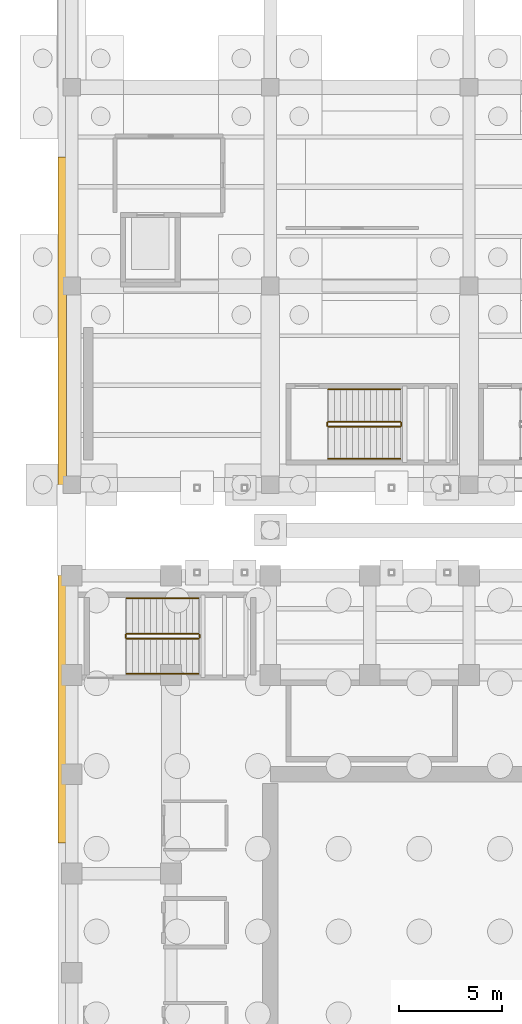
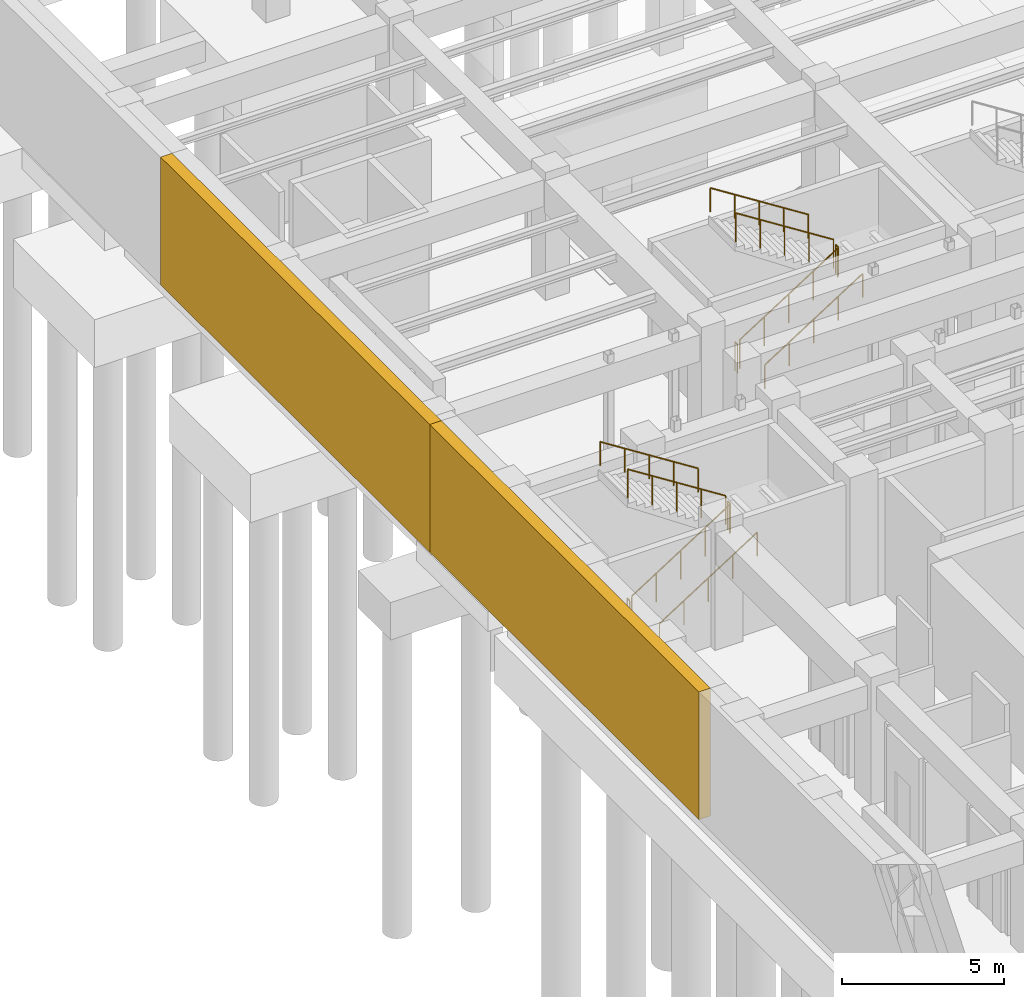
# One storey, part 51 of 56: 12 railings, 2 coverings.
"""IFC4 building model written with IfcOpenShell, lengths in metres."""

from ifc_helpers import new_model, si_unit, direction, frame, origin, origin_2d, place, context, subcontext, project, spatial, polyline, circle, outline, extrude, material, layer, layer_set, type_object, element, save


model = new_model("IFC4")

# Units and contexts
model_context = context("Model", 3, precision=1e-05, world=origin(), true_north=direction((0.0, 1.0)))
body_context = subcontext(model_context, "Body", "Model", "MODEL_VIEW")
ifc_project = project(units=[si_unit("LENGTHUNIT", "METRE"), si_unit("AREAUNIT", "SQUARE_METRE"), si_unit("VOLUMEUNIT", "CUBIC_METRE"), si_unit("PLANEANGLEUNIT", "RADIAN"), si_unit("MASSUNIT", "GRAM", prefix="KILO")], contexts=[model_context])

# Site, building, storey
site_placement = place(None, origin())
site = spatial("IfcSite", under=ifc_project, at=site_placement, CompositionType="ELEMENT")
building_placement = place(site_placement, origin())
building = spatial("IfcBuilding", under=site, at=building_placement, Name="Mavantir Sound Aquarium", CompositionType="ELEMENT")
storey_placement = place(building_placement, frame((0.0, 0.0, -9.60009765625)))
storey = spatial("IfcBuildingStorey", under=building, at=storey_placement, Name="B2", CompositionType="ELEMENT", Elevation=-9.60009765625)

# Coverings
ifc_material_1 = material(Name="Honed Coral-Limestone & Glazed Terracotta Rainscreen Cladding", Category="masonry")
ifc_layer = layer(ifc_material_1, 0.06005859375, Name="Honed Coral-Limestone & Glazed Terracotta Rainscreen Cladding")
ifc_layer_set = layer_set([ifc_layer], Name="Honed Coral-Limestone & Glazed Terracotta Rainscreen Cladding")
covering_type = type_object("IfcCoveringType", Name="COV-CLAD-TC", PredefinedType="CLADDING", material=ifc_layer_set)
covering_1_placement = place(storey_placement, origin())
element("IfcCovering", 1, at=covering_1_placement, inside=storey, type_object=covering_type, Name="B2 rusticated coral-stone plinth cladding 37", PredefinedType="CLADDING", context=body_context, shape_type="SweptSolid", body=[
    extrude(outline(polyline([(-0.25, 99.4287109375), (-0.25, 82.857177734375), (-0.659912109375, 82.857177734375), (-0.659912109375, 99.4287109375), (-0.25, 99.4287109375)])), origin(), (0.0, 0.0, 1.0), 4.800048828125),
])
covering_2_placement = place(storey_placement, origin())
element("IfcCovering", 2, at=covering_2_placement, inside=storey, type_object=covering_type, Name="B2 rusticated coral-stone plinth cladding 38", PredefinedType="CLADDING", context=body_context, shape_type="SweptSolid", body=[
    extrude(outline(polyline([(-0.25, 82.857177734375), (-0.25, 66.28564453125), (-0.659912109375, 66.28564453125), (-0.659912109375, 82.857177734375), (-0.25, 82.857177734375)])), origin(), (0.0, 0.0, 1.0), 4.800048828125),
])

# Railings
ifc_material_2 = material(Name="Stainless Steel 316 and Laminated Glass Guardrail", Category="steel")
railing_type_1 = type_object("IfcRailingType", Name="RL-GUARD-110", PredefinedType="GUARDRAIL", material=ifc_material_2)
railing_1_placement = place(storey_placement, frame((2.64990234375, 76.14990234375, 0.184814453125)))
element("IfcRailing", 3, at=railing_1_placement, inside=storey, type_object=railing_type_1, Name="B2 ST2 stair guard 1", PredefinedType="GUARDRAIL", context=body_context, shape_type="SweptSolid", body=[
    extrude(circle(Radius=0.02392578125, at=origin_2d()), frame((0.0, 0.0, 1.076171875), z_axis=(0.843573748531, 0.0, 0.537013343214), x_axis=(0.0, 1.0, 0.0)), (0.0, 0.0, 1.0), 4.125244140625),
    extrude(circle(Radius=0.02099609375, at=origin_2d()), origin(), (0.0, 0.0, 1.0), 1.052001953125),
    extrude(circle(Radius=0.02099609375, at=origin_2d()), frame((0.8701171875, 0.0, 0.5537109375)), (0.0, 0.0, 1.0), 1.052001953125),
    extrude(circle(Radius=0.02099609375, at=origin_2d()), frame((1.739990234375, 0.0, 1.107666015625)), (0.0, 0.0, 1.0), 1.052001953125),
    extrude(circle(Radius=0.02099609375, at=origin_2d()), frame((2.60986328125, 0.0, 1.66162109375)), (0.0, 0.0, 1.0), 1.052001953125),
    extrude(circle(Radius=0.02099609375, at=origin_2d()), frame((3.47998046875, 0.0, 2.21533203125)), (0.0, 0.0, 1.0), 1.052001953125),
])
railing_2_placement = place(storey_placement, frame((6.179931640625, 76.199951171875, 2.400146484375)))
element("IfcRailing", 4, at=railing_2_placement, inside=storey, type_object=railing_type_1, Name="B2 ST2 stair guard 2", PredefinedType="GUARDRAIL", context=body_context, shape_type="SweptSolid", body=[
    extrude(circle(Radius=0.02392578125, at=origin_2d()), frame((0.0, 0.0, 1.076171875), z_axis=(0.0, 1.0, 0.0), x_axis=(-1.0, 0.0, 0.0)), (0.0, 0.0, 1.0), 0.150146484375),
    extrude(circle(Radius=0.02099609375, at=origin_2d()), origin(), (0.0, 0.0, 1.0), 1.052001953125),
    extrude(circle(Radius=0.02099609375, at=origin_2d()), frame((0.0, 0.150146484375, 0.0)), (0.0, 0.0, 1.0), 1.052001953125),
])
railing_3_placement = place(storey_placement, frame((6.1298828125, 76.39990234375, 2.584716796875)))
element("IfcRailing", 5, at=railing_3_placement, inside=storey, type_object=railing_type_1, Name="B2 ST2 stair guard 3", PredefinedType="GUARDRAIL", context=body_context, shape_type="SweptSolid", body=[
    extrude(circle(Radius=0.02392578125, at=origin_2d()), frame((0.0, 0.0, 1.076171875), z_axis=(-0.843573748531, 0.0, 0.537013343214), x_axis=(0.0, -1.0, 0.0)), (0.0, 0.0, 1.0), 4.125244140625),
    extrude(circle(Radius=0.02099609375, at=origin_2d()), origin(), (0.0, 0.0, 1.0), 1.052001953125),
    extrude(circle(Radius=0.02099609375, at=origin_2d()), frame((-0.8701171875, 0.0, 0.5537109375)), (0.0, 0.0, 1.0), 1.052001953125),
    extrude(circle(Radius=0.02099609375, at=origin_2d()), frame((-1.739990234375, 0.0, 1.107666015625)), (0.0, 0.0, 1.0), 1.052001953125),
    extrude(circle(Radius=0.02099609375, at=origin_2d()), frame((-2.60986328125, 0.0, 1.66162109375)), (0.0, 0.0, 1.0), 1.052001953125),
    extrude(circle(Radius=0.02099609375, at=origin_2d()), frame((-3.47998046875, 0.0, 2.21533203125)), (0.0, 0.0, 1.0), 1.052001953125),
])
railing_4_placement = place(storey_placement, frame((2.60009765625, 76.199951171875, 0.0)))
element("IfcRailing", 6, at=railing_4_placement, inside=storey, type_object=railing_type_1, Name="B2 ST2 stair guard 4", PredefinedType="GUARDRAIL", context=body_context, shape_type="SweptSolid", body=[
    extrude(circle(Radius=0.02392578125, at=origin_2d()), frame((0.0, 0.0, 1.076171875), z_axis=(0.0, 1.0, 0.0), x_axis=(-1.0, 0.0, 0.0)), (0.0, 0.0, 1.0), 0.150146484375),
    extrude(circle(Radius=0.02099609375, at=origin_2d()), origin(), (0.0, 0.0, 1.0), 1.052001953125),
    extrude(circle(Radius=0.02099609375, at=origin_2d()), frame((0.0, 0.150146484375, 0.0)), (0.0, 0.0, 1.0), 1.052001953125),
])
railing_5_placement = place(storey_placement, frame((12.39990234375, 86.39990234375, 0.184814453125)))
element("IfcRailing", 7, at=railing_5_placement, inside=storey, type_object=railing_type_1, Name="B2 ST5 stair guard 1", PredefinedType="GUARDRAIL", context=body_context, shape_type="SweptSolid", body=[
    extrude(circle(Radius=0.02392578125, at=origin_2d()), frame((0.0, 0.0, 1.076171875), z_axis=(0.843573748531, 0.0, 0.537013343214), x_axis=(0.0, 1.0, 0.0)), (0.0, 0.0, 1.0), 4.125244140625),
    extrude(circle(Radius=0.02099609375, at=origin_2d()), origin(), (0.0, 0.0, 1.0), 1.052001953125),
    extrude(circle(Radius=0.02099609375, at=origin_2d()), frame((0.8701171875, 0.0, 0.5537109375)), (0.0, 0.0, 1.0), 1.052001953125),
    extrude(circle(Radius=0.02099609375, at=origin_2d()), frame((1.739990234375, 0.0, 1.107666015625)), (0.0, 0.0, 1.0), 1.052001953125),
    extrude(circle(Radius=0.02099609375, at=origin_2d()), frame((2.60986328125, 0.0, 1.66162109375)), (0.0, 0.0, 1.0), 1.052001953125),
    extrude(circle(Radius=0.02099609375, at=origin_2d()), frame((3.47998046875, 0.0, 2.21533203125)), (0.0, 0.0, 1.0), 1.052001953125),
])
railing_6_placement = place(storey_placement, frame((15.929931640625, 86.449951171875, 2.400146484375)))
element("IfcRailing", 8, at=railing_6_placement, inside=storey, type_object=railing_type_1, Name="B2 ST5 stair guard 2", PredefinedType="GUARDRAIL", context=body_context, shape_type="SweptSolid", body=[
    extrude(circle(Radius=0.02392578125, at=origin_2d()), frame((0.0, 0.0, 1.076171875), z_axis=(0.0, 1.0, 0.0), x_axis=(-1.0, 0.0, 0.0)), (0.0, 0.0, 1.0), 0.150146484375),
    extrude(circle(Radius=0.02099609375, at=origin_2d()), origin(), (0.0, 0.0, 1.0), 1.052001953125),
    extrude(circle(Radius=0.02099609375, at=origin_2d()), frame((0.0, 0.150146484375, 0.0)), (0.0, 0.0, 1.0), 1.052001953125),
])
railing_7_placement = place(storey_placement, frame((15.8798828125, 86.64990234375, 2.584716796875)))
element("IfcRailing", 9, at=railing_7_placement, inside=storey, type_object=railing_type_1, Name="B2 ST5 stair guard 3", PredefinedType="GUARDRAIL", context=body_context, shape_type="SweptSolid", body=[
    extrude(circle(Radius=0.02392578125, at=origin_2d()), frame((0.0, 0.0, 1.076171875), z_axis=(-0.843573748531, 0.0, 0.537013343214), x_axis=(0.0, -1.0, 0.0)), (0.0, 0.0, 1.0), 4.125244140625),
    extrude(circle(Radius=0.02099609375, at=origin_2d()), origin(), (0.0, 0.0, 1.0), 1.052001953125),
    extrude(circle(Radius=0.02099609375, at=origin_2d()), frame((-0.8701171875, 0.0, 0.5537109375)), (0.0, 0.0, 1.0), 1.052001953125),
    extrude(circle(Radius=0.02099609375, at=origin_2d()), frame((-1.739990234375, 0.0, 1.107666015625)), (0.0, 0.0, 1.0), 1.052001953125),
    extrude(circle(Radius=0.02099609375, at=origin_2d()), frame((-2.60986328125, 0.0, 1.66162109375)), (0.0, 0.0, 1.0), 1.052001953125),
    extrude(circle(Radius=0.02099609375, at=origin_2d()), frame((-3.47998046875, 0.0, 2.21533203125)), (0.0, 0.0, 1.0), 1.052001953125),
])
railing_8_placement = place(storey_placement, frame((12.35009765625, 86.449951171875, 0.0)))
element("IfcRailing", 10, at=railing_8_placement, inside=storey, type_object=railing_type_1, Name="B2 ST5 stair guard 4", PredefinedType="GUARDRAIL", context=body_context, shape_type="SweptSolid", body=[
    extrude(circle(Radius=0.02392578125, at=origin_2d()), frame((0.0, 0.0, 1.076171875), z_axis=(0.0, 1.0, 0.0), x_axis=(-1.0, 0.0, 0.0)), (0.0, 0.0, 1.0), 0.150146484375),
    extrude(circle(Radius=0.02099609375, at=origin_2d()), origin(), (0.0, 0.0, 1.0), 1.052001953125),
    extrude(circle(Radius=0.02099609375, at=origin_2d()), frame((0.0, 0.150146484375, 0.0)), (0.0, 0.0, 1.0), 1.052001953125),
])
ifc_material_3 = material(Name="Brushed Stainless Steel 316 Handrail", Category="steel")
railing_type_2 = type_object("IfcRailingType", Name="RL-HR-90", PredefinedType="HANDRAIL", material=ifc_material_3)
railing_9_placement = place(storey_placement, frame((2.64990234375, 74.449951171875, 0.36962890625)))
element("IfcRailing", 11, at=railing_9_placement, inside=storey, type_object=railing_type_2, Name="B2 ST2 stair handrail 1", PredefinedType="HANDRAIL", context=body_context, shape_type="SweptSolid", body=[
    extrude(circle(Radius=0.02392578125, at=origin_2d()), frame((0.0, 0.0, 0.89111328125), z_axis=(0.843546938479, 0.0, 0.53705545578), x_axis=(0.0, 1.0, 0.0)), (0.0, 0.0, 1.0), 4.12548828125),
    extrude(circle(Radius=0.02099609375, at=origin_2d()), origin(), (0.0, 0.0, 1.0), 0.866943359375),
    extrude(circle(Radius=0.02099609375, at=origin_2d()), frame((0.8701171875, 0.0, 0.553955078125)), (0.0, 0.0, 1.0), 0.866943359375),
    extrude(circle(Radius=0.02099609375, at=origin_2d()), frame((1.739990234375, 0.0, 1.10791015625)), (0.0, 0.0, 1.0), 0.866943359375),
    extrude(circle(Radius=0.02099609375, at=origin_2d()), frame((2.60986328125, 0.0, 1.66162109375)), (0.0, 0.0, 1.0), 0.866943359375),
    extrude(circle(Radius=0.02099609375, at=origin_2d()), frame((3.47998046875, 0.0, 2.215576171875)), (0.0, 0.0, 1.0), 0.866943359375),
])
railing_10_placement = place(storey_placement, frame((6.1298828125, 78.10009765625, 2.769775390625)))
element("IfcRailing", 12, at=railing_10_placement, inside=storey, type_object=railing_type_2, Name="B2 ST2 stair handrail 2", PredefinedType="HANDRAIL", context=body_context, shape_type="SweptSolid", body=[
    extrude(circle(Radius=0.02392578125, at=origin_2d()), frame((0.0, 0.0, 0.89111328125), z_axis=(-0.843573748531, 0.0, 0.537013343214), x_axis=(0.0, -1.0, 0.0)), (0.0, 0.0, 1.0), 4.125244140625),
    extrude(circle(Radius=0.02099609375, at=origin_2d()), origin(), (0.0, 0.0, 1.0), 0.866943359375),
    extrude(circle(Radius=0.02099609375, at=origin_2d()), frame((-0.8701171875, 0.0, 0.5537109375)), (0.0, 0.0, 1.0), 0.866943359375),
    extrude(circle(Radius=0.02099609375, at=origin_2d()), frame((-1.739990234375, 0.0, 1.107666015625)), (0.0, 0.0, 1.0), 0.866943359375),
    extrude(circle(Radius=0.02099609375, at=origin_2d()), frame((-2.60986328125, 0.0, 1.66162109375)), (0.0, 0.0, 1.0), 0.866943359375),
    extrude(circle(Radius=0.02099609375, at=origin_2d()), frame((-3.47998046875, 0.0, 2.21533203125)), (0.0, 0.0, 1.0), 0.866943359375),
])
railing_11_placement = place(storey_placement, frame((12.39990234375, 84.85009765625, 0.36962890625)))
element("IfcRailing", 13, at=railing_11_placement, inside=storey, type_object=railing_type_2, Name="B2 ST5 stair handrail 1", PredefinedType="HANDRAIL", context=body_context, shape_type="SweptSolid", body=[
    extrude(circle(Radius=0.02392578125, at=origin_2d()), frame((0.0, 0.0, 0.89111328125), z_axis=(0.843546938479, 0.0, 0.53705545578), x_axis=(0.0, 1.0, 0.0)), (0.0, 0.0, 1.0), 4.12548828125),
    extrude(circle(Radius=0.02099609375, at=origin_2d()), origin(), (0.0, 0.0, 1.0), 0.866943359375),
    extrude(circle(Radius=0.02099609375, at=origin_2d()), frame((0.8701171875, 0.0, 0.553955078125)), (0.0, 0.0, 1.0), 0.866943359375),
    extrude(circle(Radius=0.02099609375, at=origin_2d()), frame((1.739990234375, 0.0, 1.10791015625)), (0.0, 0.0, 1.0), 0.866943359375),
    extrude(circle(Radius=0.02099609375, at=origin_2d()), frame((2.60986328125, 0.0, 1.66162109375)), (0.0, 0.0, 1.0), 0.866943359375),
    extrude(circle(Radius=0.02099609375, at=origin_2d()), frame((3.47998046875, 0.0, 2.215576171875)), (0.0, 0.0, 1.0), 0.866943359375),
])
railing_12_placement = place(storey_placement, frame((15.8798828125, 88.199951171875, 2.769775390625)))
element("IfcRailing", 14, at=railing_12_placement, inside=storey, type_object=railing_type_2, Name="B2 ST5 stair handrail 2", PredefinedType="HANDRAIL", context=body_context, shape_type="SweptSolid", body=[
    extrude(circle(Radius=0.02392578125, at=origin_2d()), frame((0.0, 0.0, 0.89111328125), z_axis=(-0.843573748531, 0.0, 0.537013343214), x_axis=(0.0, -1.0, 0.0)), (0.0, 0.0, 1.0), 4.125244140625),
    extrude(circle(Radius=0.02099609375, at=origin_2d()), origin(), (0.0, 0.0, 1.0), 0.866943359375),
    extrude(circle(Radius=0.02099609375, at=origin_2d()), frame((-0.8701171875, 0.0, 0.5537109375)), (0.0, 0.0, 1.0), 0.866943359375),
    extrude(circle(Radius=0.02099609375, at=origin_2d()), frame((-1.739990234375, 0.0, 1.107666015625)), (0.0, 0.0, 1.0), 0.866943359375),
    extrude(circle(Radius=0.02099609375, at=origin_2d()), frame((-2.60986328125, 0.0, 1.66162109375)), (0.0, 0.0, 1.0), 0.866943359375),
    extrude(circle(Radius=0.02099609375, at=origin_2d()), frame((-3.47998046875, 0.0, 2.21533203125)), (0.0, 0.0, 1.0), 0.866943359375),
])

save(model, "model.ifc")
